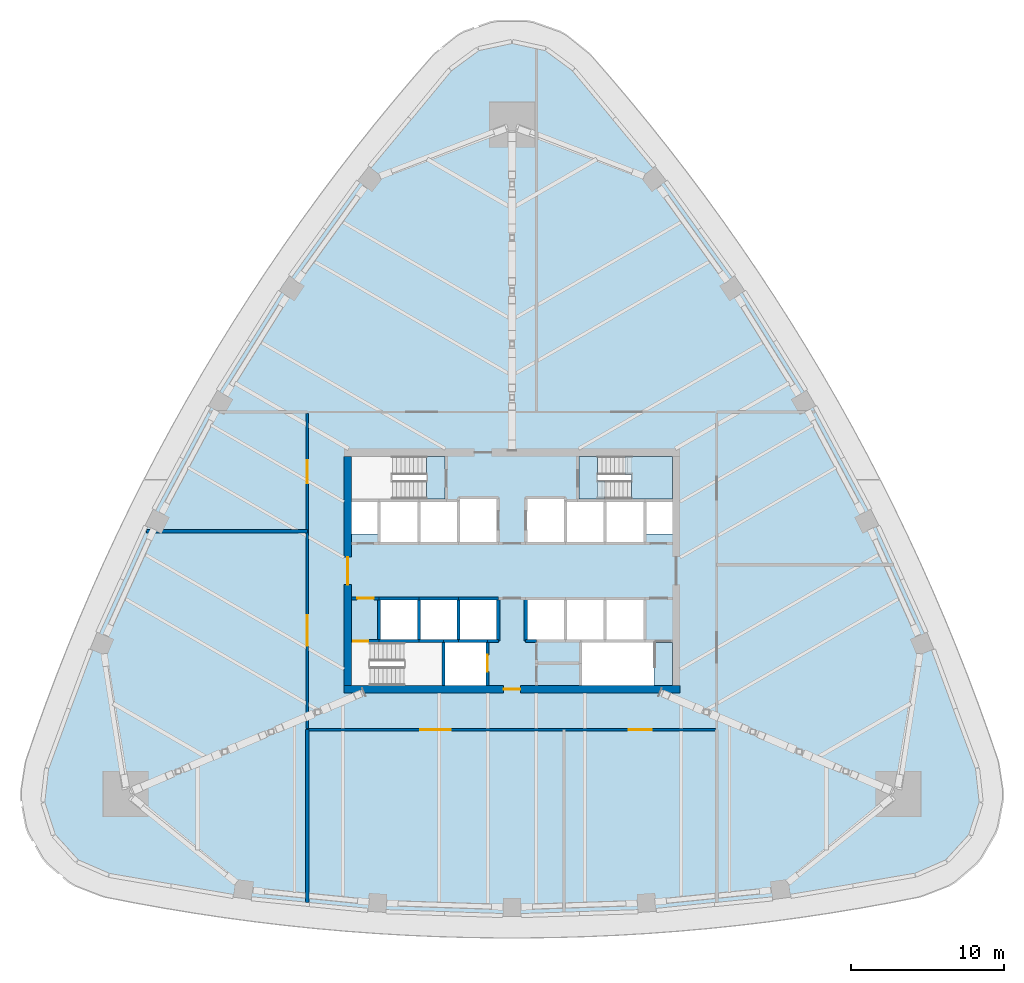
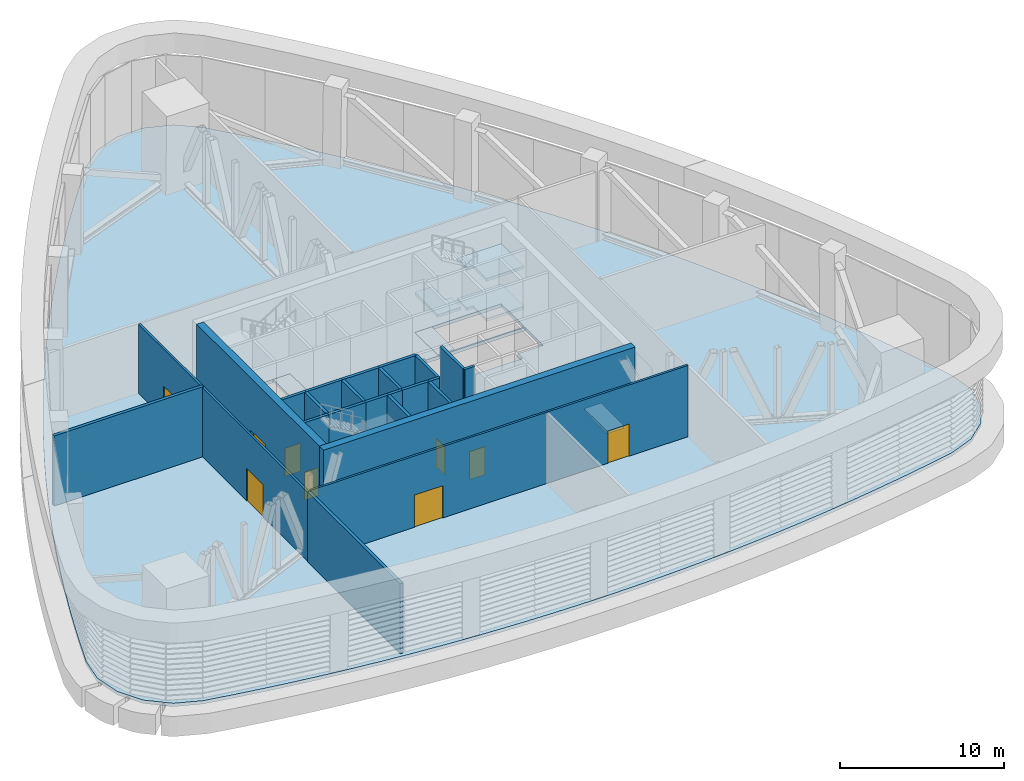
# One storey, part 5 of 18: 24 walls, 9 doors, 7 slabs, 9 openings, 1 element without a shape of its own.
"""IFC4 building model written with IfcOpenShell, lengths in metres."""

from ifc_helpers import new_model, si_unit, direction, frame, frame_2d, origin, place, context, subcontext, project, spatial, polyline, rectangle, outline, extrude, material, layer, layer_set, type_object, element, fill, aggregate, save


model = new_model("IFC4")

# Units and contexts
model_context = context("Model", 3, precision=1e-05, world=origin(), true_north=direction((0.0, 1.0)))
body_context = subcontext(model_context, "Body", "Model", "MODEL_VIEW")
ifc_project = project(units=[si_unit("LENGTHUNIT", "METRE"), si_unit("AREAUNIT", "SQUARE_METRE"), si_unit("VOLUMEUNIT", "CUBIC_METRE"), si_unit("PLANEANGLEUNIT", "RADIAN"), si_unit("MASSUNIT", "GRAM", prefix="KILO")], contexts=[model_context])

# Site, building, storey
site_placement = place(None, origin())
site = spatial("IfcSite", under=ifc_project, at=site_placement, CompositionType="ELEMENT")
building_placement = place(site_placement, origin())
building = spatial("IfcBuilding", under=site, at=building_placement, Name="Sierra Prisma Convention Tower", CompositionType="ELEMENT")
storey_placement = place(building_placement, frame((0.0, 0.0, 112.60009765625)))
storey = spatial("IfcBuildingStorey", under=building, at=storey_placement, Name="L24", CompositionType="ELEMENT", Elevation=112.60009765625)

# Slabs
ifc_material_1 = material(Name="Concrete C35/45", Category="concrete")
ifc_layer_1 = layer(ifc_material_1, 0.25)
ifc_layer_set_1 = layer_set([ifc_layer_1], Name="Convention floor slab 250")
slab_type_1 = type_object("IfcSlabType", Name="Convention floor slab 250", PredefinedType="FLOOR", material=ifc_layer_set_1)
slab_1_placement = place(storey_placement, frame((0.0, 0.0, -0.25)))
element("IfcSlab", 1, at=slab_1_placement, inside=storey, type_object=slab_type_1, Name="Floor slab L24 floor", PredefinedType="FLOOR", context=body_context, shape_type="SweptSolid", body=[
    extrude(outline(polyline([(-26.41796875, -20.023193359375), (-24.484375, -20.400634765625), (-22.545654296875, -20.74951171875), (-20.601806640625, -21.069580078125), (-18.6533203125, -21.360595703125), (-16.700927734375, -21.622802734375), (-14.74462890625, -21.856201171875), (-12.785400390625, -22.060302734375), (-10.822998046875, -22.2353515625), (-8.858642578125, -22.38134765625), (-6.89208984375, -22.498291015625), (-4.923828125, -22.5859375), (-2.954833984375, -22.644287109375), (-0.985107421875, -22.673583984375), (0.985107421875, -22.673583984375), (2.954833984375, -22.644287109375), (4.923828125, -22.5859375), (6.89208984375, -22.498291015625), (8.858642578125, -22.38134765625), (10.822998046875, -22.2353515625), (12.785400390625, -22.060302734375), (14.74462890625, -21.856201171875), (16.700927734375, -21.622802734375), (18.6533203125, -21.360595703125), (20.601806640625, -21.069580078125), (22.545654296875, -20.74951171875), (24.484375, -20.400634765625), (26.41796875, -20.023193359375), (28.151611328125, -19.3515625), (29.5634765625, -18.141845703125), (30.4931640625, -16.53173828125), (30.834716796875, -14.7041015625), (30.549560546875, -12.866943359375), (29.90966796875, -11.003662109375), (29.242431640625, -9.150146484375), (28.547607421875, -7.306884765625), (27.82568359375, -5.473876953125), (27.076416015625, -3.65185546875), (26.30029296875, -1.84130859375), (25.49755859375, -0.042236328125), (24.66796875, 1.74462890625), (23.81201171875, 3.51904296875), (22.929931640625, 5.280517578125), (22.02197265625, 7.028564453125), (21.087890625, 8.76318359375), (20.12841796875, 10.483642578125), (19.143310546875, 12.189697265625), (18.133056640625, 13.881103515625), (17.097900390625, 15.55712890625), (16.0380859375, 17.2177734375), (14.95361328125, 18.8623046875), (13.844970703125, 20.49072265625), (12.712158203125, 22.1025390625), (11.5556640625, 23.697265625), (10.37548828125, 25.27490234375), (9.17236328125, 26.834716796875), (7.946044921875, 28.37646484375), (6.69677734375, 29.89990234375), (5.42529296875, 31.404541015625), (4.131591796875, 32.89013671875), (2.68310546875, 34.0556640625), (0.9296875, 34.673583984375), (-0.9296875, 34.673583984375), (-2.68310546875, 34.0556640625), (-4.131591796875, 32.89013671875), (-5.42529296875, 31.404541015625), (-6.69677734375, 29.89990234375), (-7.946044921875, 28.37646484375), (-9.17236328125, 26.834716796875), (-10.37548828125, 25.27490234375), (-11.5556640625, 23.697265625), (-12.712158203125, 22.1025390625), (-13.844970703125, 20.49072265625), (-14.95361328125, 18.8623046875), (-16.0380859375, 17.2177734375), (-17.097900390625, 15.55712890625), (-18.133056640625, 13.881103515625), (-19.143310546875, 12.189697265625), (-20.12841796875, 10.483642578125), (-21.087890625, 8.76318359375), (-22.02197265625, 7.028564453125), (-22.929931640625, 5.280517578125), (-23.81201171875, 3.51904296875), (-24.66796875, 1.74462890625), (-25.49755859375, -0.042236328125), (-26.30029296875, -1.84130859375), (-27.076416015625, -3.65185546875), (-27.82568359375, -5.473876953125), (-28.547607421875, -7.306884765625), (-29.242431640625, -9.150146484375), (-29.90966796875, -11.003662109375), (-30.549560546875, -12.866943359375), (-30.834716796875, -14.7041015625), (-30.4931640625, -16.53173828125), (-29.5634765625, -18.141845703125), (-28.151611328125, -19.3515625), (-26.41796875, -20.023193359375)]), holes=[polyline([(-4.60009765625, -7.5), (-10.5, -7.5), (-10.5, -4.699951171875), (-4.60009765625, -4.699951171875), (-4.60009765625, -7.5)]), polyline([(-8.699951171875, -4.60009765625), (-8.699951171875, -1.800048828125), (-6.10009765625, -1.800048828125), (-3.5, -1.800048828125), (-0.89990234375, -1.800048828125), (-0.89990234375, -4.60009765625), (-1.60009765625, -4.60009765625), (-1.60009765625, -7.5), (-4.5, -7.5), (-4.5, -4.60009765625), (-6.10009765625, -4.60009765625), (-8.699951171875, -4.60009765625)]), polyline([(-10.5, 4.60009765625), (-8.699951171875, 4.60009765625), (-6.10009765625, 4.60009765625), (-3.5, 4.60009765625), (-3.5, 4.800048828125), (-0.89990234375, 4.800048828125), (-0.89990234375, 1.800048828125), (-3.5, 1.800048828125), (-6.10009765625, 1.800048828125), (-8.699951171875, 1.800048828125), (-8.699951171875, 2.39990234375), (-10.5, 2.39990234375), (-10.5, 4.60009765625)]), polyline([(-4.39990234375, 4.699951171875), (-10.5, 4.699951171875), (-10.5, 7.5), (-4.39990234375, 7.5), (-4.39990234375, 4.699951171875)]), polyline([(10.5, -7.5), (4.60009765625, -7.5), (4.60009765625, -4.699951171875), (10.5, -4.699951171875), (10.5, -7.5)]), polyline([(6.10009765625, -1.800048828125), (8.699951171875, -1.800048828125), (8.699951171875, -4.60009765625), (6.10009765625, -4.60009765625), (3.5, -4.60009765625), (0.89990234375, -4.60009765625), (0.89990234375, -1.800048828125), (3.5, -1.800048828125), (6.10009765625, -1.800048828125)]), polyline([(10.5, 4.60009765625), (10.5, 2.39990234375), (8.699951171875, 2.39990234375), (8.699951171875, 1.800048828125), (6.10009765625, 1.800048828125), (3.5, 1.800048828125), (0.89990234375, 1.800048828125), (0.89990234375, 4.800048828125), (3.5, 4.800048828125), (3.5, 4.60009765625), (6.10009765625, 4.60009765625), (8.699951171875, 4.60009765625), (10.5, 4.60009765625)]), polyline([(4.39990234375, 4.699951171875), (4.39990234375, 7.5), (10.5, 7.5), (10.5, 4.699951171875), (4.39990234375, 4.699951171875)])]), origin(), (0.0, 0.0, 1.0), 0.25),
])
ifc_material_2 = material(Name="Concrete C35/45", Category="concrete")
ifc_layer_2 = layer(ifc_material_2, 0.199951171875)
ifc_layer_set_2 = layer_set([ifc_layer_2], Name="Stair landing slab")
slab_type_2 = type_object("IfcSlabType", Name="Stair landing slab", PredefinedType="LANDING", material=ifc_layer_set_2)
slab_2_placement = place(storey_placement, frame((0.0, 0.0, -0.2001953125)))
element("IfcSlab", 2, at=slab_2_placement, inside=storey, type_object=slab_type_2, Name="S2 floor landing L24", PredefinedType="LANDING", context=body_context, shape_type="SweptSolid", body=[
    extrude(outline(polyline([(10.5, -4.699951171875), (9.298095703125, -4.699951171875), (9.298095703125, -7.5), (10.5, -7.5), (10.5, -4.699951171875)])), origin(), (0.0, 0.0, 1.0), 0.2001953125),
])
slab_3_placement = place(storey_placement, frame((0.0, 0.0, -0.2001953125)))
element("IfcSlab", 3, at=slab_3_placement, inside=storey, type_object=slab_type_2, Name="S3 floor landing L24", PredefinedType="LANDING", context=body_context, shape_type="SweptSolid", body=[
    extrude(outline(polyline([(-4.39990234375, 7.5), (-5.60205078125, 7.5), (-5.60205078125, 4.699951171875), (-4.39990234375, 4.699951171875), (-4.39990234375, 7.5)])), origin(), (0.0, 0.0, 1.0), 0.2001953125),
])

# Stair, slabs
ifc_material_3 = material(Name="Concrete C30/37", Category="concrete")
stair_type = type_object("IfcStairType", Name="Stair dog-leg 1200 RC", PredefinedType="HALF_TURN_STAIR", material=ifc_material_3)
stair_placement = place(storey_placement, origin())
stair = element("IfcStair", 4, at=stair_placement, inside=storey, type_object=stair_type, Name="L24 S4", PredefinedType="HALF_TURN_STAIR")
slab_4_placement = place(storey_placement, frame((0.0, 0.0, 1.2998046875)))
slab_4 = element("IfcSlab", 5, at=slab_4_placement, type_object=slab_type_2, Name="S4 landing 1", PredefinedType="LANDING", context=body_context, shape_type="SweptSolid", body=[
    extrude(outline(polyline([(10.5, 7.5), (10.5, 4.699951171875), (7.837890625, 4.699951171875), (7.837890625, 6.300048828125), (7.389892578125, 6.300048828125), (7.389892578125, 7.5), (10.5, 7.5)])), origin(), (0.0, 0.0, 1.0), 0.2001953125),
])
slab_5_placement = place(storey_placement, frame((0.0, 0.0, 2.7998046875)))
slab_5 = element("IfcSlab", 6, at=slab_5_placement, type_object=slab_type_2, Name="S4 landing 2", PredefinedType="LANDING", context=body_context, shape_type="SweptSolid", body=[
    extrude(outline(polyline([(4.39990234375, 4.699951171875), (4.39990234375, 7.5), (5.60205078125, 7.5), (5.60205078125, 5.89990234375), (6.050048828125, 5.89990234375), (6.050048828125, 4.699951171875), (4.39990234375, 4.699951171875)])), origin(), (0.0, 0.0, 1.0), 0.2001953125),
])
slab_6_placement = place(storey_placement, frame((0.0, 0.0, 4.2998046875)))
slab_6 = element("IfcSlab", 7, at=slab_6_placement, type_object=slab_type_2, Name="S4 landing 3", PredefinedType="LANDING", context=body_context, shape_type="SweptSolid", body=[
    extrude(outline(polyline([(10.5, 7.5), (10.5, 4.699951171875), (7.837890625, 4.699951171875), (7.837890625, 6.300048828125), (7.389892578125, 6.300048828125), (7.389892578125, 7.5), (10.5, 7.5)])), origin(), (0.0, 0.0, 1.0), 0.2001953125),
])
aggregate(stair, [slab_4, slab_5, slab_6])

# Slab
slab_7_placement = place(storey_placement, frame((0.0, 0.0, -0.2001953125)))
element("IfcSlab", 8, at=slab_7_placement, inside=storey, type_object=slab_type_2, Name="S4 floor landing L24", PredefinedType="LANDING", context=body_context, shape_type="SweptSolid", body=[
    extrude(outline(polyline([(4.39990234375, 4.699951171875), (5.60205078125, 4.699951171875), (5.60205078125, 7.5), (4.39990234375, 7.5), (4.39990234375, 4.699951171875)])), origin(), (0.0, 0.0, 1.0), 0.2001953125),
])

# Wall, opening, door
ifc_material_4 = material(Name="Concrete C30/37", Category="concrete")
ifc_layer_3 = layer(ifc_material_4, 0.199951171875)
ifc_layer_set_3 = layer_set([ifc_layer_3], Name="Core wall RC 200 C30/37")
wall_type_1 = type_object("IfcWallType", Name="Core wall RC 200 C30/37", PredefinedType="SOLIDWALL", material=ifc_layer_set_3)
wall_1_placement = place(storey_placement, frame((-10.5, -4.60009765625, 0.0), z_axis=(0.0, 0.0, 1.0), x_axis=(1.0, 0.0, 0.0)))
wall_1 = element("IfcWall", 9, at=wall_1_placement, inside=storey, type_object=wall_type_1, Name="Core wall L24 1", PredefinedType="SOLIDWALL", context=body_context, shape_type="SweptSolid", body=[
    extrude(rectangle(XDim=1.800048828125, YDim=0.199951171875, at=frame_2d((0.89990234375, 0.0))), origin(), (0.0, 0.0, 1.0), 5.849853515625),
])
opening_1_placement = place(wall_1_placement, frame((0.10009765625, 0.0, 0.0)))
opening_1 = element("IfcOpeningElement", 10, at=opening_1_placement, cuts=wall_1, Name="Opening L24-D010", PredefinedType="OPENING", context=body_context, shape_type="SweptSolid", body=[
    extrude(rectangle(XDim=1.0, YDim=2.10009765625, at=frame_2d((0.5, 1.050048828125))), frame((0.0, 0.10009765625, 0.0), z_axis=(0.0, -1.0, 0.0), x_axis=(1.0, 0.0, 0.0)), (0.0, 0.0, 1.0), 0.199951171875),
])
ifc_material_5 = material(Name="Steel fire door leaf", Category="steel")
door_type_1 = type_object("IfcDoorType", Name="Door 1000x2100 FD90S", OperationType="SINGLE_SWING_LEFT", PredefinedType="DOOR", material=ifc_material_5)
door_1_placement = place(opening_1_placement, origin())
door_1 = element("IfcDoor", 11, at=door_1_placement, inside=storey, type_object=door_type_1, Name="Door L24 18", OperationType="SINGLE_SWING_LEFT", OverallHeight=2.10009765625, OverallWidth=1.0, PredefinedType="DOOR", context=body_context, shape_type="SweptSolid", body=[
    extrude(rectangle(XDim=1.0, YDim=2.10009765625, at=frame_2d((0.5, 1.050048828125))), frame((0.0, 0.02490234375, 0.0), z_axis=(0.0, -1.0, 0.0), x_axis=(1.0, 0.0, 0.0)), (0.0, 0.0, 1.0), 0.050048828125),
])
fill(opening_1, door_1)

wall_2_placement = place(storey_placement, frame((-10.5, -1.800048828125, 0.0), z_axis=(0.0, 0.0, 1.0), x_axis=(1.0, 0.0, 0.0)))
wall_2 = element("IfcWall", 12, at=wall_2_placement, inside=storey, type_object=wall_type_1, Name="Core wall L24 2", PredefinedType="SOLIDWALL", context=body_context, shape_type="SweptSolid", body=[
    extrude(rectangle(XDim=1.800048828125, YDim=0.199951171875, at=frame_2d((0.89990234375, 0.0))), origin(), (0.0, 0.0, 1.0), 5.849853515625),
])
opening_2_placement = place(wall_2_placement, frame((0.35009765625, 0.0, 0.0)))
opening_2 = element("IfcOpeningElement", 13, at=opening_2_placement, cuts=wall_2, Name="Opening L24-D004", PredefinedType="OPENING", context=body_context, shape_type="SweptSolid", body=[
    extrude(rectangle(XDim=1.10009765625, YDim=2.10009765625, at=frame_2d((0.550048828125, 1.050048828125))), frame((0.0, 0.10009765625, 0.0), z_axis=(0.0, -1.0, 0.0), x_axis=(1.0, 0.0, 0.0)), (0.0, 0.0, 1.0), 0.199951171875),
])
ifc_material_6 = material(Name="Steel fire door leaf", Category="steel")
door_type_2 = type_object("IfcDoorType", Name="Door 1100x2100 FD90S", OperationType="SINGLE_SWING_LEFT", PredefinedType="DOOR", material=ifc_material_6)
door_2_placement = place(opening_2_placement, origin())
door_2 = element("IfcDoor", 14, at=door_2_placement, inside=storey, type_object=door_type_2, Name="Door L24 12", OperationType="SINGLE_SWING_RIGHT", OverallHeight=2.10009765625, OverallWidth=1.10009765625, PredefinedType="DOOR", context=body_context, shape_type="SweptSolid", body=[
    extrude(rectangle(XDim=1.10009765625, YDim=2.10009765625, at=frame_2d((0.550048828125, 1.050048828125))), frame((0.0, 0.02490234375, 0.0), z_axis=(0.0, -1.0, 0.0), x_axis=(1.0, 0.0, 0.0)), (0.0, 0.0, 1.0), 0.050048828125),
])
fill(opening_2, door_2)

# Walls
wall_3_placement = place(storey_placement, frame((-8.699951171875, -4.60009765625, 0.0), z_axis=(0.0, 0.0, 1.0), x_axis=(1.0, 0.0, 0.0)))
element("IfcWall", 15, at=wall_3_placement, inside=storey, type_object=wall_type_1, Name="Core wall L24 5", PredefinedType="SOLIDWALL", context=body_context, shape_type="SweptSolid", body=[
    extrude(rectangle(XDim=2.599853515625, YDim=0.199951171875, at=frame_2d((1.2998046875, 0.0))), origin(), (0.0, 0.0, 1.0), 5.849853515625),
])
wall_4_placement = place(storey_placement, frame((-8.699951171875, -4.60009765625, 0.0), z_axis=(0.0, 0.0, 1.0), x_axis=(0.0, 1.0, 0.0)))
element("IfcWall", 16, at=wall_4_placement, inside=storey, type_object=wall_type_1, Name="Core wall L24 6", PredefinedType="SOLIDWALL", context=body_context, shape_type="SweptSolid", body=[
    extrude(rectangle(XDim=2.800048828125, YDim=0.199951171875, at=frame_2d((1.39990234375, 0.0))), origin(), (0.0, 0.0, 1.0), 5.849853515625),
])
wall_5_placement = place(storey_placement, frame((-8.699951171875, -1.800048828125, 0.0), z_axis=(0.0, 0.0, 1.0), x_axis=(1.0, 0.0, 0.0)))
element("IfcWall", 17, at=wall_5_placement, inside=storey, type_object=wall_type_1, Name="Core wall L24 7", PredefinedType="SOLIDWALL", context=body_context, shape_type="SweptSolid", body=[
    extrude(rectangle(XDim=2.599853515625, YDim=0.199951171875, at=frame_2d((1.2998046875, 0.0))), origin(), (0.0, 0.0, 1.0), 5.849853515625),
])
wall_6_placement = place(storey_placement, frame((-6.10009765625, -4.60009765625, 0.0), z_axis=(0.0, 0.0, 1.0), x_axis=(1.0, 0.0, 0.0)))
element("IfcWall", 18, at=wall_6_placement, inside=storey, type_object=wall_type_1, Name="Core wall L24 11", PredefinedType="SOLIDWALL", context=body_context, shape_type="SweptSolid", body=[
    extrude(rectangle(XDim=1.60009765625, YDim=0.199951171875, at=frame_2d((0.800048828125, 0.0))), origin(), (0.0, 0.0, 1.0), 5.849853515625),
])
wall_7_placement = place(storey_placement, frame((-6.10009765625, -4.60009765625, 0.0), z_axis=(0.0, 0.0, 1.0), x_axis=(0.0, 1.0, 0.0)))
element("IfcWall", 19, at=wall_7_placement, inside=storey, type_object=wall_type_1, Name="Core wall L24 12", PredefinedType="SOLIDWALL", context=body_context, shape_type="SweptSolid", body=[
    extrude(rectangle(XDim=2.800048828125, YDim=0.199951171875, at=frame_2d((1.39990234375, 0.0))), origin(), (0.0, 0.0, 1.0), 5.849853515625),
])
wall_8_placement = place(storey_placement, frame((-6.10009765625, -1.800048828125, 0.0), z_axis=(0.0, 0.0, 1.0), x_axis=(1.0, 0.0, 0.0)))
element("IfcWall", 20, at=wall_8_placement, inside=storey, type_object=wall_type_1, Name="Core wall L24 13", PredefinedType="SOLIDWALL", context=body_context, shape_type="SweptSolid", body=[
    extrude(rectangle(XDim=2.60009765625, YDim=0.199951171875, at=frame_2d((1.300048828125, 0.0))), origin(), (0.0, 0.0, 1.0), 5.849853515625),
])
wall_9_placement = place(storey_placement, frame((-4.5, -4.60009765625, 0.0), z_axis=(0.0, 0.0, 1.0), x_axis=(0.0, -1.0, 0.0)))
element("IfcWall", 21, at=wall_9_placement, inside=storey, type_object=wall_type_1, Name="Core wall L24 17", PredefinedType="SOLIDWALL", context=body_context, shape_type="SweptSolid", body=[
    extrude(rectangle(XDim=2.89990234375, YDim=0.199951171875, at=frame_2d((1.449951171875, 0.0))), origin(), (0.0, 0.0, 1.0), 5.849853515625),
])
wall_10_placement = place(storey_placement, frame((-4.5, -4.60009765625, 0.0), z_axis=(0.0, 0.0, 1.0), x_axis=(1.0, 0.0, 0.0)))
element("IfcWall", 22, at=wall_10_placement, inside=storey, type_object=wall_type_1, Name="Core wall L24 18", PredefinedType="SOLIDWALL", context=body_context, shape_type="SweptSolid", body=[
    extrude(rectangle(XDim=1.0, YDim=0.199951171875, at=frame_2d((0.5, 0.0))), origin(), (0.0, 0.0, 1.0), 5.849853515625),
])
wall_11_placement = place(storey_placement, frame((-3.5, -4.60009765625, 0.0), z_axis=(0.0, 0.0, 1.0), x_axis=(1.0, 0.0, 0.0)))
element("IfcWall", 23, at=wall_11_placement, inside=storey, type_object=wall_type_1, Name="Core wall L24 21", PredefinedType="SOLIDWALL", context=body_context, shape_type="SweptSolid", body=[
    extrude(rectangle(XDim=1.89990234375, YDim=0.199951171875, at=frame_2d((0.949951171875, 0.0))), origin(), (0.0, 0.0, 1.0), 5.849853515625),
])
wall_12_placement = place(storey_placement, frame((-3.5, -4.60009765625, 0.0), z_axis=(0.0, 0.0, 1.0), x_axis=(0.0, 1.0, 0.0)))
element("IfcWall", 24, at=wall_12_placement, inside=storey, type_object=wall_type_1, Name="Core wall L24 22", PredefinedType="SOLIDWALL", context=body_context, shape_type="SweptSolid", body=[
    extrude(rectangle(XDim=2.800048828125, YDim=0.199951171875, at=frame_2d((1.39990234375, 0.0))), origin(), (0.0, 0.0, 1.0), 5.849853515625),
])
wall_13_placement = place(storey_placement, frame((-3.5, -1.800048828125, 0.0), z_axis=(0.0, 0.0, 1.0), x_axis=(1.0, 0.0, 0.0)))
element("IfcWall", 25, at=wall_13_placement, inside=storey, type_object=wall_type_1, Name="Core wall L24 23", PredefinedType="SOLIDWALL", context=body_context, shape_type="SweptSolid", body=[
    extrude(rectangle(XDim=2.60009765625, YDim=0.199951171875, at=frame_2d((1.300048828125, 0.0))), origin(), (0.0, 0.0, 1.0), 5.849853515625),
])

# Wall, opening, door
wall_14_placement = place(storey_placement, frame((-1.60009765625, -7.5, 0.0), z_axis=(0.0, 0.0, 1.0), x_axis=(0.0, 1.0, 0.0)))
wall_14 = element("IfcWall", 26, at=wall_14_placement, inside=storey, type_object=wall_type_1, Name="Core wall L24 29", PredefinedType="SOLIDWALL", context=body_context, shape_type="SweptSolid", body=[
    extrude(rectangle(XDim=2.89990234375, YDim=0.199951171875, at=frame_2d((1.449951171875, 0.0))), origin(), (0.0, 0.0, 1.0), 5.849853515625),
])
opening_3_placement = place(wall_14_placement, frame((0.89990234375, 0.0, 0.0)))
opening_3 = element("IfcOpeningElement", 27, at=opening_3_placement, cuts=wall_14, Name="Opening L24-D003", PredefinedType="OPENING", context=body_context, shape_type="SweptSolid", body=[
    extrude(rectangle(XDim=1.10009765625, YDim=2.10009765625, at=frame_2d((0.550048828125, 1.050048828125))), frame((0.0, 0.10009765625, 0.0), z_axis=(0.0, -1.0, 0.0), x_axis=(1.0, 0.0, 0.0)), (0.0, 0.0, 1.0), 0.199951171875),
])
ifc_material_7 = material(Name="Steel fire door leaf", Category="steel")
door_type_3 = type_object("IfcDoorType", Name="Door 1100x2100 EI 90 sliding lift landing", OperationType="SLIDING_TO_LEFT", PredefinedType="DOOR", material=ifc_material_7)
door_3_placement = place(opening_3_placement, origin())
door_3 = element("IfcDoor", 28, at=door_3_placement, inside=storey, type_object=door_type_3, Name="Door L24 11", OperationType="SLIDING_TO_LEFT", OverallHeight=2.10009765625, OverallWidth=1.10009765625, PredefinedType="DOOR", context=body_context, shape_type="SweptSolid", body=[
    extrude(rectangle(XDim=1.10009765625, YDim=2.10009765625, at=frame_2d((0.550048828125, 1.050048828125))), frame((0.0, 0.02490234375, 0.0), z_axis=(0.0, -1.0, 0.0), x_axis=(1.0, 0.0, 0.0)), (0.0, 0.0, 1.0), 0.050048828125),
])
fill(opening_3, door_3)

# Walls
wall_15_placement = place(storey_placement, frame((-1.60009765625, -4.60009765625, 0.0), z_axis=(0.0, 0.0, 1.0), x_axis=(1.0, 0.0, 0.0)))
element("IfcWall", 29, at=wall_15_placement, inside=storey, type_object=wall_type_1, Name="Core wall L24 30", PredefinedType="SOLIDWALL", context=body_context, shape_type="SweptSolid", body=[
    extrude(rectangle(XDim=0.7001953125, YDim=0.199951171875, at=frame_2d((0.35009765625, 0.0))), origin(), (0.0, 0.0, 1.0), 5.849853515625),
])
for number, where, z_axis, x_axis, name in (
    (30, (-0.89990234375, -4.60009765625, 0.0), (0.0, 0.0, 1.0), (0.0, 1.0, 0.0), "Core wall L24 31"),
    (31, (0.89990234375, -1.800048828125, 0.0), (0.0, 0.0, 1.0), (0.0, -1.0, 0.0), "Core wall L24 35"),
):
    element("IfcWall", number, at=place(storey_placement, frame(where, z_axis=z_axis, x_axis=x_axis)), inside=storey, type_object=wall_type_1, Name=name, PredefinedType="SOLIDWALL", context=body_context, shape_type="SweptSolid", body=[
        extrude(rectangle(XDim=2.800048828125, YDim=0.199951171875, at=frame_2d((1.39990234375, 0.0))), origin(), (0.0, 0.0, 1.0), 5.849853515625),
    ])
wall_16_placement = place(storey_placement, frame((0.89990234375, -4.60009765625, 0.0), z_axis=(0.0, 0.0, 1.0), x_axis=(1.0, 0.0, 0.0)))
element("IfcWall", 32, at=wall_16_placement, inside=storey, type_object=wall_type_1, Name="Core wall L24 36", PredefinedType="SOLIDWALL", context=body_context, shape_type="SweptSolid", body=[
    extrude(rectangle(XDim=0.7001953125, YDim=0.199951171875, at=frame_2d((0.35009765625, 0.0))), origin(), (0.0, 0.0, 1.0), 5.849853515625),
])

# Wall, opening, door
ifc_material_8 = material(Name="Concrete C60/75", Category="concrete")
ifc_layer_4 = layer(ifc_material_8, 0.5)
ifc_layer_set_4 = layer_set([ifc_layer_4], Name="Core wall RC 500 C60/75")
wall_type_2 = type_object("IfcWallType", Name="Core wall RC 500 C60/75", PredefinedType="SHEAR", material=ifc_layer_set_4)
wall_17_placement = place(storey_placement, frame((-11.0, -7.75, 0.0), z_axis=(0.0, 0.0, 1.0), x_axis=(1.0, 0.0, 0.0)))
wall_17 = element("IfcWall", 33, at=wall_17_placement, inside=storey, type_object=wall_type_2, Name="Core wall S L24", PredefinedType="SHEAR", context=body_context, shape_type="SweptSolid", body=[
    extrude(rectangle(XDim=22.0, YDim=0.5, at=frame_2d((11.0, 0.0))), origin(), (0.0, 0.0, 1.0), 6.0),
])
opening_4_placement = place(wall_17_placement, frame((10.449951171875, 0.0, 0.0)))
opening_4 = element("IfcOpeningElement", 34, at=opening_4_placement, cuts=wall_17, Name="Opening L24-D026", PredefinedType="OPENING", context=body_context, shape_type="SweptSolid", body=[
    extrude(rectangle(XDim=1.10009765625, YDim=2.10009765625, at=frame_2d((0.550048828125, 1.050048828125))), frame((0.0, 0.25, 0.0), z_axis=(0.0, -1.0, 0.0), x_axis=(1.0, 0.0, 0.0)), (0.0, 0.0, 1.0), 0.5),
])
ifc_material_9 = material(Name="Steel fire door leaf", Category="steel")
door_type_4 = type_object("IfcDoorType", Name="Door 1100x2100 FD30S", OperationType="SINGLE_SWING_LEFT", PredefinedType="DOOR", material=ifc_material_9)
door_4_placement = place(opening_4_placement, origin())
door_4 = element("IfcDoor", 35, at=door_4_placement, inside=storey, type_object=door_type_4, Name="Door L24 27", OperationType="SINGLE_SWING_RIGHT", OverallHeight=2.10009765625, OverallWidth=1.10009765625, PredefinedType="DOOR", context=body_context, shape_type="SweptSolid", body=[
    extrude(rectangle(XDim=1.10009765625, YDim=2.10009765625, at=frame_2d((0.550048828125, 1.050048828125))), frame((0.0, 0.02490234375, 0.0), z_axis=(0.0, -1.0, 0.0), x_axis=(1.0, 0.0, 0.0)), (0.0, 0.0, 1.0), 0.050048828125),
])
fill(opening_4, door_4)

wall_18_placement = place(storey_placement, frame((-10.75, -7.5, 0.0), z_axis=(0.0, 0.0, 1.0), x_axis=(0.0, 1.0, 0.0)))
wall_18 = element("IfcWall", 36, at=wall_18_placement, inside=storey, type_object=wall_type_2, Name="Core wall W L24", PredefinedType="SHEAR", context=body_context, shape_type="SweptSolid", body=[
    extrude(rectangle(XDim=15.0, YDim=0.5, at=frame_2d((7.5, 0.0))), origin(), (0.0, 0.0, 1.0), 6.0),
])
opening_5_placement = place(wall_18_placement, frame((6.60009765625, 0.0, 0.0)))
opening_5 = element("IfcOpeningElement", 37, at=opening_5_placement, cuts=wall_18, Name="Opening L24-D027", PredefinedType="OPENING", context=body_context, shape_type="SweptSolid", body=[
    extrude(rectangle(XDim=1.800048828125, YDim=2.10009765625, at=frame_2d((0.89990234375, 1.050048828125))), frame((0.0, 0.25, 0.0), z_axis=(0.0, -1.0, 0.0), x_axis=(1.0, 0.0, 0.0)), (0.0, 0.0, 1.0), 0.5),
])
ifc_material_10 = material(Name="Steel fire door leaf", Category="steel")
door_type_5 = type_object("IfcDoorType", Name="Door 1800x2100 FD60S", OperationType="DOUBLE_DOOR_SINGLE_SWING", PredefinedType="DOOR", material=ifc_material_10)
door_5_placement = place(opening_5_placement, origin())
door_5 = element("IfcDoor", 38, at=door_5_placement, inside=storey, type_object=door_type_5, Name="Door L24 24", OperationType="DOUBLE_DOOR_SINGLE_SWING", OverallHeight=2.10009765625, OverallWidth=1.800048828125, PredefinedType="DOOR", context=body_context, shape_type="SweptSolid", body=[
    extrude(rectangle(XDim=1.800048828125, YDim=2.10009765625, at=frame_2d((0.89990234375, 1.050048828125))), frame((0.0, 0.02490234375, 0.0), z_axis=(0.0, -1.0, 0.0), x_axis=(1.0, 0.0, 0.0)), (0.0, 0.0, 1.0), 0.050048828125),
])
fill(opening_5, door_5)

# Wall, openings, doors
ifc_material_11 = material(Name="Gypsum board partition", Category="gypsum")
ifc_layer_5 = layer(ifc_material_11, 0.14990234375)
ifc_layer_set_5 = layer_set([ifc_layer_5], Name="Corridor wall 150 gypsum EI 60")
wall_type_3 = type_object("IfcWallType", Name="Corridor wall 150 gypsum EI 60", PredefinedType="PARTITIONING", material=ifc_layer_set_5)
wall_19_placement = place(storey_placement, frame((-13.39990234375, 10.320068359375, 0.0), z_axis=(0.0, 0.0, 1.0), x_axis=(0.0, -1.0, 0.0)))
wall_19 = element("IfcWall", 39, at=wall_19_placement, inside=storey, type_object=wall_type_3, Name="Partition L24 corr 1", PredefinedType="PARTITIONING", context=body_context, shape_type="SweptSolid", body=[
    extrude(rectangle(XDim=20.64013671875, YDim=0.14990234375, at=frame_2d((10.320068359375, 0.0))), origin(), (0.0, 0.0, 1.0), 5.166015625),
])
opening_6_placement = place(wall_19_placement, frame((3.070068359375, 0.0, 0.0)))
opening_6 = element("IfcOpeningElement", 40, at=opening_6_placement, cuts=wall_19, Name="Opening L24-D019", PredefinedType="OPENING", context=body_context, shape_type="SweptSolid", body=[
    extrude(rectangle(XDim=1.5, YDim=2.39990234375, at=frame_2d((0.75, 1.199951171875))), frame((0.0, 0.074951171875, 0.0), z_axis=(0.0, -1.0, 0.0), x_axis=(1.0, 0.0, 0.0)), (0.0, 0.0, 1.0), 0.14990234375),
])
opening_7_placement = place(wall_19_placement, frame((13.22998046875, 0.0, 0.0)))
opening_7 = element("IfcOpeningElement", 41, at=opening_7_placement, cuts=wall_19, Name="Opening L24-D020", PredefinedType="OPENING", context=body_context, shape_type="SweptSolid", body=[
    extrude(rectangle(XDim=2.0, YDim=2.39990234375, at=frame_2d((1.0, 1.199951171875))), frame((0.0, 0.074951171875, 0.0), z_axis=(0.0, -1.0, 0.0), x_axis=(1.0, 0.0, 0.0)), (0.0, 0.0, 1.0), 0.14990234375),
])
ifc_material_12 = material(Name="Steel fire door leaf", Category="steel")
door_type_6 = type_object("IfcDoorType", Name="Door 1500x2400 FD60S", OperationType="DOUBLE_DOOR_SINGLE_SWING", PredefinedType="DOOR", material=ifc_material_12)
door_6_placement = place(opening_6_placement, origin())
door_6 = element("IfcDoor", 42, at=door_6_placement, inside=storey, type_object=door_type_6, Name="Door L24 4", OperationType="DOUBLE_DOOR_SINGLE_SWING", OverallHeight=2.39990234375, OverallWidth=1.5, PredefinedType="DOOR", context=body_context, shape_type="SweptSolid", body=[
    extrude(rectangle(XDim=1.5, YDim=2.39990234375, at=frame_2d((0.75, 1.199951171875))), frame((0.0, 0.02490234375, 0.0), z_axis=(0.0, -1.0, 0.0), x_axis=(1.0, 0.0, 0.0)), (0.0, 0.0, 1.0), 0.050048828125),
])
fill(opening_6, door_6)
ifc_material_13 = material(Name="Steel fire door leaf", Category="steel")
door_type_7 = type_object("IfcDoorType", Name="Door 2000x2400 FD60S", OperationType="DOUBLE_DOOR_SINGLE_SWING", PredefinedType="DOOR", material=ifc_material_13)
door_7_placement = place(opening_7_placement, origin())
door_7 = element("IfcDoor", 43, at=door_7_placement, inside=storey, type_object=door_type_7, Name="Door L24 5", OperationType="DOUBLE_DOOR_SINGLE_SWING", OverallHeight=2.39990234375, OverallWidth=2.0, PredefinedType="DOOR", context=body_context, shape_type="SweptSolid", body=[
    extrude(rectangle(XDim=2.0, YDim=2.39990234375, at=frame_2d((1.0, 1.199951171875))), frame((0.0, 0.02490234375, 0.0), z_axis=(0.0, -1.0, 0.0), x_axis=(1.0, 0.0, 0.0)), (0.0, 0.0, 1.0), 0.050048828125),
])
fill(opening_7, door_7)

wall_20_placement = place(storey_placement, frame((-13.320068359375, -10.39990234375, 0.0), z_axis=(0.0, 0.0, 1.0), x_axis=(1.0, 0.0, 0.0)))
wall_20 = element("IfcWall", 44, at=wall_20_placement, inside=storey, type_object=wall_type_3, Name="Partition L24 corr 2", PredefinedType="PARTITIONING", context=body_context, shape_type="SweptSolid", body=[
    extrude(rectangle(XDim=26.64013671875, YDim=0.14990234375, at=frame_2d((13.320068359375, 0.0))), origin(), (0.0, 0.0, 1.0), 5.31689453125),
])
opening_8_placement = place(wall_20_placement, frame((7.320068359375, 0.0, 0.0)))
opening_8 = element("IfcOpeningElement", 45, at=opening_8_placement, cuts=wall_20, Name="Opening L24-D021", PredefinedType="OPENING", context=body_context, shape_type="SweptSolid", body=[
    extrude(rectangle(XDim=2.0, YDim=2.39990234375, at=frame_2d((1.0, 1.199951171875))), frame((0.0, 0.074951171875, 0.0), z_axis=(0.0, -1.0, 0.0), x_axis=(1.0, 0.0, 0.0)), (0.0, 0.0, 1.0), 0.14990234375),
])
opening_9_placement = place(wall_20_placement, frame((20.969970703125, 0.0, 0.0)))
opening_9 = element("IfcOpeningElement", 46, at=opening_9_placement, cuts=wall_20, Name="Opening L24-D022", PredefinedType="OPENING", context=body_context, shape_type="SweptSolid", body=[
    extrude(rectangle(XDim=1.5, YDim=2.39990234375, at=frame_2d((0.75, 1.199951171875))), frame((0.0, 0.074951171875, 0.0), z_axis=(0.0, -1.0, 0.0), x_axis=(1.0, 0.0, 0.0)), (0.0, 0.0, 1.0), 0.14990234375),
])
door_8_placement = place(opening_9_placement, origin())
door_8 = element("IfcDoor", 47, at=door_8_placement, inside=storey, type_object=door_type_6, Name="Door L24 7", OperationType="DOUBLE_DOOR_SINGLE_SWING", OverallHeight=2.39990234375, OverallWidth=1.5, PredefinedType="DOOR", context=body_context, shape_type="SweptSolid", body=[
    extrude(rectangle(XDim=1.5, YDim=2.39990234375, at=frame_2d((0.75, 1.199951171875))), frame((0.0, 0.02490234375, 0.0), z_axis=(0.0, -1.0, 0.0), x_axis=(1.0, 0.0, 0.0)), (0.0, 0.0, 1.0), 0.050048828125),
])
fill(opening_9, door_8)
door_9_placement = place(opening_8_placement, origin())
door_9 = element("IfcDoor", 48, at=door_9_placement, inside=storey, type_object=door_type_7, Name="Door L24 6", OperationType="DOUBLE_DOOR_SINGLE_SWING", OverallHeight=2.39990234375, OverallWidth=2.0, PredefinedType="DOOR", context=body_context, shape_type="SweptSolid", body=[
    extrude(rectangle(XDim=2.0, YDim=2.39990234375, at=frame_2d((1.0, 1.199951171875))), frame((0.0, 0.02490234375, 0.0), z_axis=(0.0, -1.0, 0.0), x_axis=(1.0, 0.0, 0.0)), (0.0, 0.0, 1.0), 0.050048828125),
])
fill(opening_8, door_9)

# Walls
ifc_material_14 = material(Name="Hollow clay block masonry", Category="masonry")
ifc_layer_6 = layer(ifc_material_14, 0.215087890625)
ifc_layer_set_6 = layer_set([ifc_layer_6], Name="Plant room wall 215 blockwork EI 120")
wall_type_4 = type_object("IfcWallType", Name="Plant room wall 215 blockwork EI 120", PredefinedType="PARTITIONING", material=ifc_layer_set_6)
wall_21_placement = place(storey_placement, frame((-13.39990234375, 2.60009765625, 0.0), z_axis=(0.0, 0.0, 1.0), x_axis=(-1.0, 0.0, 0.0)))
element("IfcWall", 49, at=wall_21_placement, inside=storey, type_object=wall_type_4, Name="Partition L24 plant 1", PredefinedType="PARTITIONING", context=body_context, shape_type="SweptSolid", body=[
    extrude(rectangle(XDim=10.544677734375, YDim=0.215087890625, at=frame_2d((5.2724609375, 0.0))), origin(), (0.0, 0.0, 1.0), 5.23388671875),
])
wall_22_placement = place(storey_placement, frame((-13.39990234375, -10.39990234375, 0.0), z_axis=(0.0, 0.0, 1.0), x_axis=(0.0, -1.0, 0.0)))
element("IfcWall", 50, at=wall_22_placement, inside=storey, type_object=wall_type_4, Name="Partition L24 plant 3", PredefinedType="PARTITIONING", context=body_context, shape_type="SweptSolid", body=[
    extrude(rectangle(XDim=11.314697265625, YDim=0.215087890625, at=frame_2d((5.6572265625, 0.0))), origin(), (0.0, 0.0, 1.0), 5.23388671875),
])

save(model, "model.ifc")
